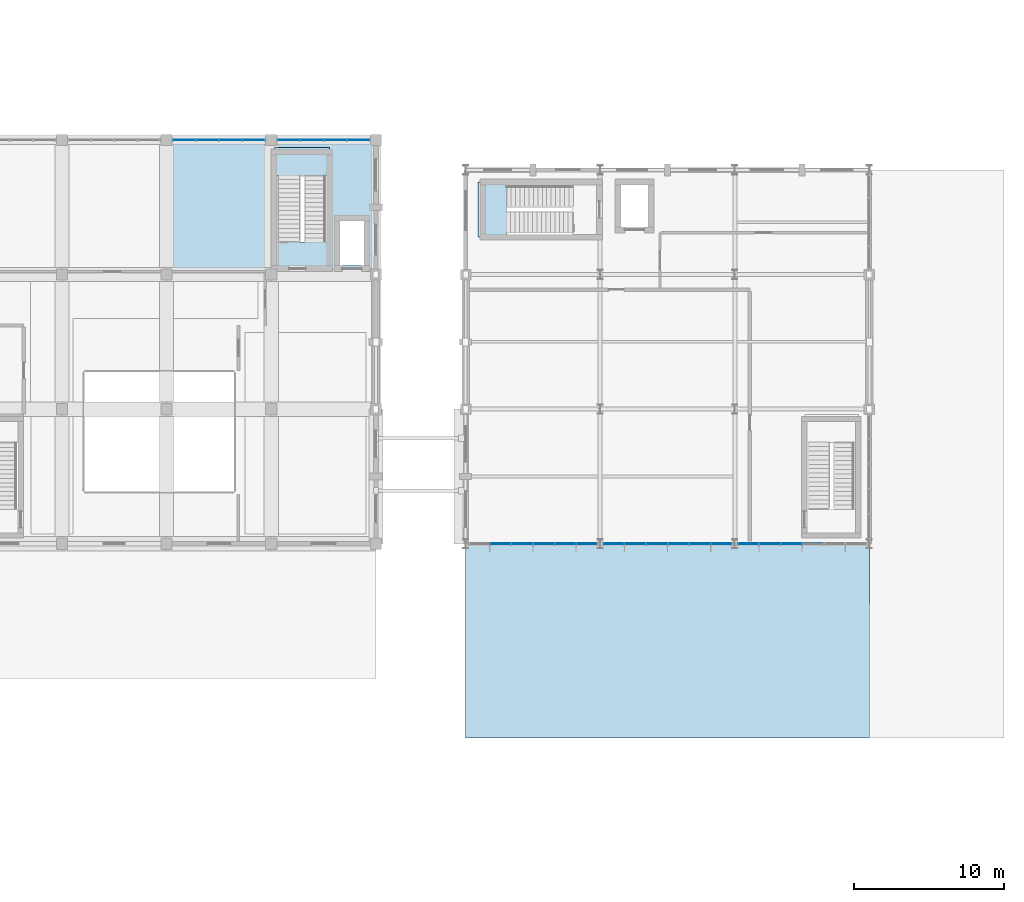
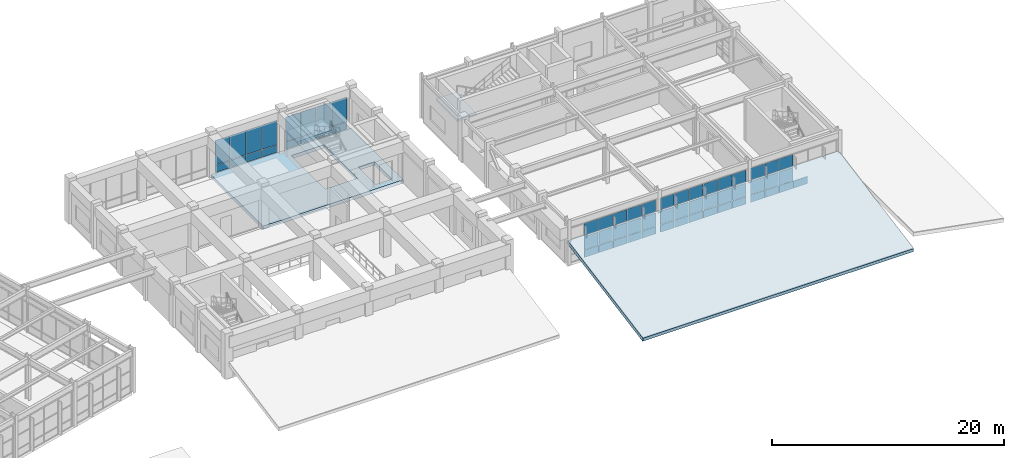
# One storey, part 77 of 104: 59 plates, 4 slabs, 7 elements without a shape of their own.
"""IFC4 building model written with IfcOpenShell, lengths in metres."""

import ifcopenshell
import ifcopenshell.guid

model = None  # the IFC model being written
_history = None  # IfcOwnerHistory: only IFC2X3 demands one
_inside = {}  # id of a spatial element -> (the spatial element, [elements in it])
_under = {}  # id of a project, library or spatial element -> (it, [spatial elements below it])
_declared = {}  # id of a project -> (the project, [libraries it declares])
_typed = {}  # id of a type object -> (the type object, [elements of that type])
_made_of = {}  # id of a material, layer set ... -> (it, [elements and type objects made of it])


def new_model(schema):
    """Start an empty IFC model of exactly this schema.

    Asked for "IFC4X3", IfcOpenShell would pick the latest addendum, in which some entities
    have other attributes; the version numbers below select the first issue.
    IFC2X3 requires an IfcOwnerHistory on every rooted entity: one is made here for all.
    """
    global model, _history
    if schema == "IFC4X3":
        model = ifcopenshell.file(schema_version=(4, 3, 0, 0))
    else:
        model = ifcopenshell.file(schema=schema)
    _inside.clear()
    _under.clear()
    _declared.clear()
    _typed.clear()
    _made_of.clear()
    _history = None
    if model.schema == "IFC2X3":
        org = make("IfcOrganization", Name="unknown")
        user = make(
            "IfcPersonAndOrganization",
            ThePerson=make("IfcPerson", FamilyName="unknown"),
            TheOrganization=org,
        )
        app = make(
            "IfcApplication",
            ApplicationDeveloper=org,
            Version="unknown",
            ApplicationFullName="unknown",
            ApplicationIdentifier="unknown",
        )
        _history = make(
            "IfcOwnerHistory",
            OwningUser=user,
            OwningApplication=app,
            ChangeAction="ADDED",
            CreationDate=0,
        )
    return model


def make(cls, **values):
    """One entity of the class cls with the attributes given. An attribute that is None is left unset."""
    return model.create_entity(
        cls, **{name: value for name, value in values.items() if value is not None}
    )


def rooted(cls, **values):
    """An entity with a GlobalId (a new one), such as an element, a storey or a relation."""
    return make(cls, GlobalId=ifcopenshell.guid.new(), OwnerHistory=_history, **values)


def si_unit(unit_type, name, prefix=None):
    """IfcSIUnit, for example si_unit("LENGTHUNIT", "METRE", prefix="MILLI")."""
    return make("IfcSIUnit", UnitType=unit_type, Prefix=prefix, Name=name)


def assignment(units):
    """IfcUnitAssignment: the units of a project."""
    return None if units is None else make("IfcUnitAssignment", Units=units)


def point(xyz):
    """IfcCartesianPoint."""
    return None if xyz is None else make("IfcCartesianPoint", Coordinates=xyz)


def direction(xyz):
    """IfcDirection."""
    return None if xyz is None else make("IfcDirection", DirectionRatios=xyz)


def frame(location, z_axis=None, x_axis=None):
    """IfcAxis2Placement3D, a coordinate frame: its origin and axes. An axis left out is left unset."""
    return make(
        "IfcAxis2Placement3D",
        Location=point(location),
        Axis=direction(z_axis),
        RefDirection=direction(x_axis),
    )


def frame_2d(location, x_axis=None):
    """IfcAxis2Placement2D, a coordinate frame in the plane: its origin and x axis."""
    return make(
        "IfcAxis2Placement2D", Location=point(location), RefDirection=direction(x_axis)
    )


def origin():
    """The frame at (0, 0, 0) with its axes left unset."""
    return frame((0.0, 0.0, 0.0))


def origin_2d():
    """The frame at (0, 0) in the plane with its x axis left unset."""
    return frame_2d((0.0, 0.0))


def place(relative_to, where):
    """IfcLocalPlacement: puts the frame where relative to a parent placement (None: the world)."""
    return make(
        "IfcLocalPlacement", PlacementRelTo=relative_to, RelativePlacement=where
    )


def context(
    kind, dimensions, precision=None, world=None, true_north=None, identifier=None
):
    """IfcGeometricRepresentationContext, for example the 3D "Model" context."""
    return make(
        "IfcGeometricRepresentationContext",
        ContextIdentifier=identifier,
        ContextType=kind,
        CoordinateSpaceDimension=dimensions,
        Precision=precision,
        WorldCoordinateSystem=world,
        TrueNorth=true_north,
    )


def subcontext(parent, identifier, kind, view, scale=None):
    """IfcGeometricRepresentationSubContext, for example "Body" below "Model"."""
    return make(
        "IfcGeometricRepresentationSubContext",
        ContextIdentifier=identifier,
        ContextType=kind,
        ParentContext=parent,
        TargetScale=scale,
        TargetView=view,
    )


def project(units=None, contexts=None):
    """IfcProject with its units and contexts."""
    return rooted(
        "IfcProject",
        Name="project",
        RepresentationContexts=contexts,
        UnitsInContext=assignment(units),
    )


def spatial(cls, under=None, at=None, **own):
    """A site, building, storey or space (cls), placed at a placement, below another one or the project."""
    s = rooted(cls, ObjectPlacement=at, **own)
    if under is not None:
        _under.setdefault(under.id(), (under, []))[1].append(s)
    return s


def polyline(points):
    """IfcPolyline through the points."""
    return make("IfcPolyline", Points=[point(p) for p in points])


def profile(cls, at=None, kind="AREA", **sizes):
    """A parametric profile (cls). Its sizes go by their IFC names, for example OverallWidth=200.0."""
    return make(cls, ProfileType=kind, Position=at, **sizes)


def rectangle(**sizes):
    """IfcRectangleProfileDef."""
    return profile("IfcRectangleProfileDef", **sizes)


def outline(outer, holes=None, kind="AREA"):
    """IfcArbitraryClosedProfileDef: a profile drawn as a closed curve; with holes, ...WithVoids."""
    if holes is None:
        return make("IfcArbitraryClosedProfileDef", ProfileType=kind, OuterCurve=outer)
    return make(
        "IfcArbitraryProfileDefWithVoids",
        ProfileType=kind,
        OuterCurve=outer,
        InnerCurves=holes,
    )


def extrude(swept, where, along, depth):
    """IfcExtrudedAreaSolid: the profile swept, set in the frame where, extruded along a direction by depth."""
    return make(
        "IfcExtrudedAreaSolid",
        SweptArea=swept,
        Position=where,
        ExtrudedDirection=direction(along),
        Depth=depth,
    )


def shape(context_of_items, identifier, shape_type, items):
    """IfcShapeRepresentation: the items that make up one representation, for example the "Body"."""
    return make(
        "IfcShapeRepresentation",
        ContextOfItems=context_of_items,
        RepresentationIdentifier=identifier,
        RepresentationType=shape_type,
        Items=items,
    )


def material(Name=None, Category=None):
    """IfcMaterial."""
    return make("IfcMaterial", Name=Name, Category=Category)


def layer(
    of_material, thickness, ventilated=None, Name=None, Category=None, Priority=None
):
    """IfcMaterialLayer: one layer of a wall or slab, of a material (None: an air gap)."""
    return make(
        "IfcMaterialLayer",
        Material=of_material,
        LayerThickness=thickness,
        IsVentilated=ventilated,
        Name=Name,
        Category=Category,
        Priority=Priority,
    )


def layer_set(layers, Name=None):
    """IfcMaterialLayerSet."""
    return make("IfcMaterialLayerSet", MaterialLayers=layers, LayerSetName=Name)


def made_of(thing, what):
    """Note that an element or type object is made of a material, layer set ...; save() writes the relation."""
    if what is not None:
        _made_of.setdefault(what.id(), (what, []))[1].append(thing)
    return thing


def type_object(cls, material=None, **own):
    """A type object (cls), such as IfcWallType, which elements share."""
    return made_of(rooted(cls, **own), material)


def element(
    cls,
    number,
    at=None,
    inside=None,
    cuts=None,
    type_object=None,
    material=None,
    context=None,
    identifier="Body",
    shape_type=None,
    held_by="IfcProductDefinitionShape",
    body=None,
    shapes=None,
    **own,
):
    """One element of the class cls, such as IfcWall. Its Tag is "e" and its number.

    at: its placement. inside: the storey or other place that contains it. cuts: it is an
    opening in that element (IfcRelVoidsElement). A single representation is given by context,
    identifier, shape_type and body (its items); several are given by shapes. held_by: the class
    of the entity that holds the representations. save() writes the other relations.
    """
    e = rooted(cls, Tag="e%d" % number, ObjectPlacement=at, **own)
    if body is not None:
        shapes = [shape(context, identifier, shape_type, body)]
    if shapes is not None:
        e.Representation = make(held_by, Representations=shapes)
    if inside is not None:
        _inside.setdefault(inside.id(), (inside, []))[1].append(e)
    if cuts is not None:
        rooted(
            "IfcRelVoidsElement", RelatingBuildingElement=cuts, RelatedOpeningElement=e
        )
    if type_object is not None:
        _typed.setdefault(type_object.id(), (type_object, []))[1].append(e)
    return made_of(e, material)


def aggregate(whole, parts):
    """IfcRelAggregates: a whole, such as a stair, and the parts it consists of."""
    return rooted("IfcRelAggregates", RelatingObject=whole, RelatedObjects=parts)


def save(model, path):
    """Write the relations noted so far, then the file.

    IfcRelAggregates (storeys below a building ...), IfcRelContainedInSpatialStructure (elements
    in a storey), IfcRelDefinesByType, IfcRelAssociatesMaterial and IfcRelDeclares: one each for
    every whole, place, type object, material and project.
    """
    for whole, parts in _under.values():
        aggregate(whole, parts)
    for where, things in _inside.values():
        rooted(
            "IfcRelContainedInSpatialStructure",
            RelatedElements=things,
            RelatingStructure=where,
        )
    for kind, things in _typed.values():
        rooted("IfcRelDefinesByType", RelatedObjects=things, RelatingType=kind)
    for what, things in _made_of.values():
        rooted("IfcRelAssociatesMaterial", RelatedObjects=things, RelatingMaterial=what)
    for by, libraries in _declared.values():
        rooted("IfcRelDeclares", RelatingContext=by, RelatedDefinitions=libraries)
    model.write(path)


model = new_model("IFC4")

# Units and contexts
model_context = context("Model", 3, precision=1e-05, world=origin(), true_north=direction((0.0, 1.0)))
body_context = subcontext(model_context, "Body", "Model", "MODEL_VIEW")
ifc_project = project(units=[si_unit("LENGTHUNIT", "METRE"), si_unit("AREAUNIT", "SQUARE_METRE"), si_unit("VOLUMEUNIT", "CUBIC_METRE"), si_unit("PLANEANGLEUNIT", "RADIAN"), si_unit("MASSUNIT", "GRAM", prefix="KILO")], contexts=[model_context])

# Site, building, storey
site_placement = place(None, origin())
site = spatial("IfcSite", under=ifc_project, at=site_placement, CompositionType="ELEMENT")
building_placement = place(site_placement, origin())
building = spatial("IfcBuilding", under=site, at=building_placement, Name="Ventoquebrada Cableway Terminal", CompositionType="ELEMENT")
storey_placement = place(building_placement, frame((0.0, 0.0, 4.800048828125)))
storey = spatial("IfcBuildingStorey", under=building, at=storey_placement, Name="L01", CompositionType="ELEMENT", Elevation=4.800048828125)

# Curtain wall, plates
ifc_material_1 = material(Name="Anodized thermally-broken aluminium", Category="aluminium")
ifc_layer_1 = layer(ifc_material_1, 0.159912109375)
ifc_layer_set_1 = layer_set([ifc_layer_1], Name="Anodized thermally-broken aluminium")
curtain_wall_type_1 = type_object("IfcCurtainWallType", Name="CW-T27", PredefinedType="USERDEFINED", material=ifc_layer_set_1)
curtain_wall_1_placement = place(storey_placement, origin())
curtain_wall_1 = element("IfcCurtainWall", 1, at=curtain_wall_1_placement, inside=storey, type_object=curtain_wall_type_1, Name="Unitised glazed curtain wall CW-065", ObjectType="UNITISED CURTAIN WALL", PredefinedType="USERDEFINED")
ifc_material_2 = material(Name="Double low-e laminated safety glazing", Category="glass")
ifc_layer_2 = layer(ifc_material_2, 0.031982421875)
ifc_layer_set_2 = layer_set([ifc_layer_2], Name="Double low-e laminated safety glazing")
plate_type_1 = type_object("IfcPlateType", Name="CWP-GL1", PredefinedType="CURTAIN_PANEL", material=ifc_layer_set_2)
plate_1_placement = place(storey_placement, frame((113.280029296875, 104.0, 0.87451171875), z_axis=(0.0, 0.0, 1.0), x_axis=(-1.0, 0.0, 0.0)))
plate_1 = element("IfcPlate", 2, at=plate_1_placement, type_object=plate_type_1, Name="Vision glazing panel PN-0652", PredefinedType="CURTAIN_PANEL", context=body_context, shape_type="SweptSolid", body=[
    extrude(rectangle(XDim=1.510986328125, YDim=0.031982421875, at=origin_2d()), origin(), (0.0, 0.0, 1.0), 2.56103515625),
])
plate_2_placement = place(storey_placement, frame((110.177001953125, 104.0, 0.87451171875), z_axis=(0.0, 0.0, 1.0), x_axis=(-1.0, 0.0, 0.0)))
plate_2 = element("IfcPlate", 3, at=plate_2_placement, type_object=plate_type_1, Name="Vision glazing panel PN-0656", PredefinedType="CURTAIN_PANEL", context=body_context, shape_type="SweptSolid", body=[
    extrude(rectangle(XDim=1.47607421875, YDim=0.031982421875, at=origin_2d()), origin(), (0.0, 0.0, 1.0), 2.56103515625),
])

curtain_wall_2_placement = place(storey_placement, origin())
curtain_wall_2 = element("IfcCurtainWall", 4, at=curtain_wall_2_placement, inside=storey, type_object=curtain_wall_type_1, Name="Unitised glazed curtain wall CW-066", ObjectType="UNITISED CURTAIN WALL", PredefinedType="USERDEFINED")
plate_3_placement = place(storey_placement, frame((120.280029296875, 104.0, 0.87451171875), z_axis=(0.0, 0.0, 1.0), x_axis=(-1.0, 0.0, 0.0)))
plate_3 = element("IfcPlate", 5, at=plate_3_placement, type_object=plate_type_1, Name="Vision glazing panel PN-0660", PredefinedType="CURTAIN_PANEL", context=body_context, shape_type="SweptSolid", body=[
    extrude(rectangle(XDim=1.510986328125, YDim=0.031982421875, at=origin_2d()), origin(), (0.0, 0.0, 1.0), 2.56103515625),
])
plate_4_placement = place(storey_placement, frame((117.177001953125, 104.0, 0.87451171875), z_axis=(0.0, 0.0, 1.0), x_axis=(-1.0, 0.0, 0.0)))
plate_4 = element("IfcPlate", 6, at=plate_4_placement, type_object=plate_type_1, Name="Vision glazing panel PN-0664", PredefinedType="CURTAIN_PANEL", context=body_context, shape_type="SweptSolid", body=[
    extrude(rectangle(XDim=1.47607421875, YDim=0.031982421875, at=origin_2d()), origin(), (0.0, 0.0, 1.0), 2.56103515625),
])

ifc_layer_3 = layer(ifc_material_1, 0.159912109375)
ifc_layer_set_3 = layer_set([ifc_layer_3], Name="Anodized thermally-broken aluminium")
curtain_wall_type_2 = type_object("IfcCurtainWallType", Name="CW-T30", PredefinedType="USERDEFINED", material=ifc_layer_set_3)
curtain_wall_3_placement = place(storey_placement, origin())
curtain_wall_3 = element("IfcCurtainWall", 7, at=curtain_wall_3_placement, inside=storey, type_object=curtain_wall_type_2, Name="Unitised glazed curtain wall CW-073", ObjectType="UNITISED CURTAIN WALL", PredefinedType="USERDEFINED")
plate_5_placement = place(storey_placement, frame((131.333984375, 77.0, 0.875), z_axis=(0.0, 0.0, 1.0), x_axis=(1.0, 0.0, 0.0)))
plate_5 = element("IfcPlate", 8, at=plate_5_placement, type_object=plate_type_1, Name="Vision glazing panel PN-0713", PredefinedType="CURTAIN_PANEL", context=body_context, shape_type="SweptSolid", body=[
    extrude(rectangle(XDim=1.39501953125, YDim=0.031982421875, at=origin_2d()), origin(), (0.0, 0.0, 1.0), 1.39990234375),
])
plate_6_placement = place(storey_placement, frame((132.778076171875, 77.0, 2.3232421875), z_axis=(0.0, 0.0, 1.0), x_axis=(1.0, 0.0, 0.0)))
plate_6 = element("IfcPlate", 9, at=plate_6_placement, type_object=plate_type_1, Name="Vision glazing panel PN-0717", PredefinedType="CURTAIN_PANEL", context=body_context, shape_type="SweptSolid", body=[
    extrude(rectangle(XDim=1.39501953125, YDim=0.031982421875, at=origin_2d()), origin(), (0.0, 0.0, 1.0), 1.324951171875),
])
plate_7_placement = place(storey_placement, frame((134.221923828125, 77.0, 0.875), z_axis=(0.0, 0.0, 1.0), x_axis=(1.0, 0.0, 0.0)))
plate_7 = element("IfcPlate", 10, at=plate_7_placement, type_object=plate_type_1, Name="Vision glazing panel PN-0719", PredefinedType="CURTAIN_PANEL", context=body_context, shape_type="SweptSolid", body=[
    extrude(rectangle(XDim=1.39501953125, YDim=0.031982421875, at=origin_2d()), origin(), (0.0, 0.0, 1.0), 1.39990234375),
])
plate_8_placement = place(storey_placement, frame((135.666015625, 77.0, 2.3232421875), z_axis=(0.0, 0.0, 1.0), x_axis=(1.0, 0.0, 0.0)))
plate_8 = element("IfcPlate", 11, at=plate_8_placement, type_object=plate_type_1, Name="Vision glazing panel PN-0723", PredefinedType="CURTAIN_PANEL", context=body_context, shape_type="SweptSolid", body=[
    extrude(rectangle(XDim=1.39501953125, YDim=0.031982421875, at=origin_2d()), origin(), (0.0, 0.0, 1.0), 1.324951171875),
])
plate_9_placement = place(storey_placement, frame((137.091064453125, 77.0, 0.875), z_axis=(0.0, 0.0, 1.0), x_axis=(1.0, 0.0, 0.0)))
plate_9 = element("IfcPlate", 12, at=plate_9_placement, type_object=plate_type_1, Name="Vision glazing panel PN-0725", PredefinedType="CURTAIN_PANEL", context=body_context, shape_type="SweptSolid", body=[
    extrude(rectangle(XDim=1.360107421875, YDim=0.031982421875, at=origin_2d()), origin(), (0.0, 0.0, 1.0), 1.39990234375),
])

curtain_wall_4_placement = place(storey_placement, origin())
curtain_wall_4 = element("IfcCurtainWall", 13, at=curtain_wall_4_placement, inside=storey, type_object=curtain_wall_type_2, Name="Unitised glazed curtain wall CW-074", ObjectType="UNITISED CURTAIN WALL", PredefinedType="USERDEFINED")
plate_10_placement = place(storey_placement, frame((138.908935546875, 77.0, 2.3232421875), z_axis=(0.0, 0.0, 1.0), x_axis=(1.0, 0.0, 0.0)))
plate_10 = element("IfcPlate", 14, at=plate_10_placement, type_object=plate_type_1, Name="Vision glazing panel PN-0729", PredefinedType="CURTAIN_PANEL", context=body_context, shape_type="SweptSolid", body=[
    extrude(rectangle(XDim=1.360107421875, YDim=0.031982421875, at=origin_2d()), origin(), (0.0, 0.0, 1.0), 1.324951171875),
])
plate_11_placement = place(storey_placement, frame((140.333984375, 77.0, 0.875), z_axis=(0.0, 0.0, 1.0), x_axis=(1.0, 0.0, 0.0)))
plate_11 = element("IfcPlate", 15, at=plate_11_placement, type_object=plate_type_1, Name="Vision glazing panel PN-0731", PredefinedType="CURTAIN_PANEL", context=body_context, shape_type="SweptSolid", body=[
    extrude(rectangle(XDim=1.39501953125, YDim=0.031982421875, at=origin_2d()), origin(), (0.0, 0.0, 1.0), 1.39990234375),
])
plate_12_placement = place(storey_placement, frame((141.778076171875, 77.0, 2.3232421875), z_axis=(0.0, 0.0, 1.0), x_axis=(1.0, 0.0, 0.0)))
plate_12 = element("IfcPlate", 16, at=plate_12_placement, type_object=plate_type_1, Name="Vision glazing panel PN-0735", PredefinedType="CURTAIN_PANEL", context=body_context, shape_type="SweptSolid", body=[
    extrude(rectangle(XDim=1.39501953125, YDim=0.031982421875, at=origin_2d()), origin(), (0.0, 0.0, 1.0), 1.324951171875),
])
plate_13_placement = place(storey_placement, frame((143.221923828125, 77.0, 0.875), z_axis=(0.0, 0.0, 1.0), x_axis=(1.0, 0.0, 0.0)))
plate_13 = element("IfcPlate", 17, at=plate_13_placement, type_object=plate_type_1, Name="Vision glazing panel PN-0737", PredefinedType="CURTAIN_PANEL", context=body_context, shape_type="SweptSolid", body=[
    extrude(rectangle(XDim=1.39501953125, YDim=0.031982421875, at=origin_2d()), origin(), (0.0, 0.0, 1.0), 1.39990234375),
])
plate_14_placement = place(storey_placement, frame((144.666015625, 77.0, 2.3232421875), z_axis=(0.0, 0.0, 1.0), x_axis=(1.0, 0.0, 0.0)))
plate_14 = element("IfcPlate", 18, at=plate_14_placement, type_object=plate_type_1, Name="Vision glazing panel PN-0741", PredefinedType="CURTAIN_PANEL", context=body_context, shape_type="SweptSolid", body=[
    extrude(rectangle(XDim=1.39501953125, YDim=0.031982421875, at=origin_2d()), origin(), (0.0, 0.0, 1.0), 1.324951171875),
])
plate_15_placement = place(storey_placement, frame((146.091064453125, 77.0, 0.875), z_axis=(0.0, 0.0, 1.0), x_axis=(1.0, 0.0, 0.0)))
plate_15 = element("IfcPlate", 19, at=plate_15_placement, type_object=plate_type_1, Name="Vision glazing panel PN-0743", PredefinedType="CURTAIN_PANEL", context=body_context, shape_type="SweptSolid", body=[
    extrude(rectangle(XDim=1.360107421875, YDim=0.031982421875, at=origin_2d()), origin(), (0.0, 0.0, 1.0), 1.39990234375),
])

curtain_wall_5_placement = place(storey_placement, origin())
curtain_wall_5 = element("IfcCurtainWall", 20, at=curtain_wall_5_placement, inside=storey, type_object=curtain_wall_type_2, Name="Unitised glazed curtain wall CW-075", ObjectType="UNITISED CURTAIN WALL", PredefinedType="USERDEFINED")
plate_16_placement = place(storey_placement, frame((147.908935546875, 77.0, 2.3232421875), z_axis=(0.0, 0.0, 1.0), x_axis=(1.0, 0.0, 0.0)))
plate_16 = element("IfcPlate", 21, at=plate_16_placement, type_object=plate_type_1, Name="Vision glazing panel PN-0747", PredefinedType="CURTAIN_PANEL", context=body_context, shape_type="SweptSolid", body=[
    extrude(rectangle(XDim=1.360107421875, YDim=0.031982421875, at=origin_2d()), origin(), (0.0, 0.0, 1.0), 1.324951171875),
])
plate_17_placement = place(storey_placement, frame((149.333984375, 77.0, 0.875), z_axis=(0.0, 0.0, 1.0), x_axis=(1.0, 0.0, 0.0)))
plate_17 = element("IfcPlate", 22, at=plate_17_placement, type_object=plate_type_1, Name="Vision glazing panel PN-0749", PredefinedType="CURTAIN_PANEL", context=body_context, shape_type="SweptSolid", body=[
    extrude(rectangle(XDim=1.39501953125, YDim=0.031982421875, at=origin_2d()), origin(), (0.0, 0.0, 1.0), 1.39990234375),
])
plate_18_placement = place(storey_placement, frame((150.778076171875, 77.0, 2.3232421875), z_axis=(0.0, 0.0, 1.0), x_axis=(1.0, 0.0, 0.0)))
plate_18 = element("IfcPlate", 23, at=plate_18_placement, type_object=plate_type_1, Name="Vision glazing panel PN-0753", PredefinedType="CURTAIN_PANEL", context=body_context, shape_type="SweptSolid", body=[
    extrude(rectangle(XDim=1.39501953125, YDim=0.031982421875, at=origin_2d()), origin(), (0.0, 0.0, 1.0), 1.324951171875),
])

# Plate
ifc_layer_4 = layer(ifc_material_2, 0.0380859375)
ifc_layer_set_4 = layer_set([ifc_layer_4], Name="Double low-e laminated safety glazing")
plate_type_2 = type_object("IfcPlateType", Name="CWP-GL2", PredefinedType="CURTAIN_PANEL", material=ifc_layer_set_4)
plate_19_placement = place(storey_placement, frame((114.822998046875, 104.0, 0.87451171875), z_axis=(0.0, 0.0, 1.0), x_axis=(-1.0, 0.0, 0.0)))
plate_19 = element("IfcPlate", 24, at=plate_19_placement, type_object=plate_type_2, Name="Vision glazing panel PN-0650", PredefinedType="CURTAIN_PANEL", context=body_context, shape_type="SweptSolid", body=[
    extrude(rectangle(XDim=1.47607421875, YDim=0.0380859375, at=origin_2d()), origin(), (0.0, 0.0, 1.0), 2.56103515625),
])

plate_20_placement = place(storey_placement, frame((111.719970703125, 104.0, 0.87451171875), z_axis=(0.0, 0.0, 1.0), x_axis=(-1.0, 0.0, 0.0)))
plate_20 = element("IfcPlate", 25, at=plate_20_placement, type_object=plate_type_2, Name="Vision glazing panel PN-0654", PredefinedType="CURTAIN_PANEL", context=body_context, shape_type="SweptSolid", body=[
    extrude(rectangle(XDim=1.510986328125, YDim=0.0380859375, at=origin_2d()), origin(), (0.0, 0.0, 1.0), 2.56103515625),
])

plate_21_placement = place(storey_placement, frame((121.822998046875, 104.0, 0.87451171875), z_axis=(0.0, 0.0, 1.0), x_axis=(-1.0, 0.0, 0.0)))
plate_21 = element("IfcPlate", 26, at=plate_21_placement, type_object=plate_type_2, Name="Vision glazing panel PN-0658", PredefinedType="CURTAIN_PANEL", context=body_context, shape_type="SweptSolid", body=[
    extrude(rectangle(XDim=1.47607421875, YDim=0.0380859375, at=origin_2d()), origin(), (0.0, 0.0, 1.0), 2.56103515625),
])

plate_22_placement = place(storey_placement, frame((118.719970703125, 104.0, 0.87451171875), z_axis=(0.0, 0.0, 1.0), x_axis=(-1.0, 0.0, 0.0)))
plate_22 = element("IfcPlate", 27, at=plate_22_placement, type_object=plate_type_2, Name="Vision glazing panel PN-0662", PredefinedType="CURTAIN_PANEL", context=body_context, shape_type="SweptSolid", body=[
    extrude(rectangle(XDim=1.510986328125, YDim=0.0380859375, at=origin_2d()), origin(), (0.0, 0.0, 1.0), 2.56103515625),
])

plate_23_placement = place(storey_placement, frame((131.333984375, 77.0, 2.3232421875), z_axis=(0.0, 0.0, 1.0), x_axis=(1.0, 0.0, 0.0)))
plate_23 = element("IfcPlate", 28, at=plate_23_placement, type_object=plate_type_2, Name="Vision glazing panel PN-0714", PredefinedType="CURTAIN_PANEL", context=body_context, shape_type="SweptSolid", body=[
    extrude(rectangle(XDim=1.39501953125, YDim=0.0380859375, at=origin_2d()), origin(), (0.0, 0.0, 1.0), 1.324951171875),
])

plate_24_placement = place(storey_placement, frame((132.778076171875, 77.0, 0.875), z_axis=(0.0, 0.0, 1.0), x_axis=(1.0, 0.0, 0.0)))
plate_24 = element("IfcPlate", 29, at=plate_24_placement, type_object=plate_type_2, Name="Vision glazing panel PN-0716", PredefinedType="CURTAIN_PANEL", context=body_context, shape_type="SweptSolid", body=[
    extrude(rectangle(XDim=1.39501953125, YDim=0.0380859375, at=origin_2d()), origin(), (0.0, 0.0, 1.0), 1.39990234375),
])

plate_25_placement = place(storey_placement, frame((134.221923828125, 77.0, 2.3232421875), z_axis=(0.0, 0.0, 1.0), x_axis=(1.0, 0.0, 0.0)))
plate_25 = element("IfcPlate", 30, at=plate_25_placement, type_object=plate_type_2, Name="Vision glazing panel PN-0720", PredefinedType="CURTAIN_PANEL", context=body_context, shape_type="SweptSolid", body=[
    extrude(rectangle(XDim=1.39501953125, YDim=0.0380859375, at=origin_2d()), origin(), (0.0, 0.0, 1.0), 1.324951171875),
])

plate_26_placement = place(storey_placement, frame((135.666015625, 77.0, 0.875), z_axis=(0.0, 0.0, 1.0), x_axis=(1.0, 0.0, 0.0)))
plate_26 = element("IfcPlate", 31, at=plate_26_placement, type_object=plate_type_2, Name="Vision glazing panel PN-0722", PredefinedType="CURTAIN_PANEL", context=body_context, shape_type="SweptSolid", body=[
    extrude(rectangle(XDim=1.39501953125, YDim=0.0380859375, at=origin_2d()), origin(), (0.0, 0.0, 1.0), 1.39990234375),
])

plate_27_placement = place(storey_placement, frame((137.091064453125, 77.0, 2.3232421875), z_axis=(0.0, 0.0, 1.0), x_axis=(1.0, 0.0, 0.0)))
plate_27 = element("IfcPlate", 32, at=plate_27_placement, type_object=plate_type_2, Name="Vision glazing panel PN-0726", PredefinedType="CURTAIN_PANEL", context=body_context, shape_type="SweptSolid", body=[
    extrude(rectangle(XDim=1.360107421875, YDim=0.0380859375, at=origin_2d()), origin(), (0.0, 0.0, 1.0), 1.324951171875),
])

plate_28_placement = place(storey_placement, frame((138.908935546875, 77.0, 0.875), z_axis=(0.0, 0.0, 1.0), x_axis=(1.0, 0.0, 0.0)))
plate_28 = element("IfcPlate", 33, at=plate_28_placement, type_object=plate_type_2, Name="Vision glazing panel PN-0728", PredefinedType="CURTAIN_PANEL", context=body_context, shape_type="SweptSolid", body=[
    extrude(rectangle(XDim=1.360107421875, YDim=0.0380859375, at=origin_2d()), origin(), (0.0, 0.0, 1.0), 1.39990234375),
])

plate_29_placement = place(storey_placement, frame((140.333984375, 77.0, 2.3232421875), z_axis=(0.0, 0.0, 1.0), x_axis=(1.0, 0.0, 0.0)))
plate_29 = element("IfcPlate", 34, at=plate_29_placement, type_object=plate_type_2, Name="Vision glazing panel PN-0732", PredefinedType="CURTAIN_PANEL", context=body_context, shape_type="SweptSolid", body=[
    extrude(rectangle(XDim=1.39501953125, YDim=0.0380859375, at=origin_2d()), origin(), (0.0, 0.0, 1.0), 1.324951171875),
])

plate_30_placement = place(storey_placement, frame((141.778076171875, 77.0, 0.875), z_axis=(0.0, 0.0, 1.0), x_axis=(1.0, 0.0, 0.0)))
plate_30 = element("IfcPlate", 35, at=plate_30_placement, type_object=plate_type_2, Name="Vision glazing panel PN-0734", PredefinedType="CURTAIN_PANEL", context=body_context, shape_type="SweptSolid", body=[
    extrude(rectangle(XDim=1.39501953125, YDim=0.0380859375, at=origin_2d()), origin(), (0.0, 0.0, 1.0), 1.39990234375),
])

plate_31_placement = place(storey_placement, frame((143.221923828125, 77.0, 2.3232421875), z_axis=(0.0, 0.0, 1.0), x_axis=(1.0, 0.0, 0.0)))
plate_31 = element("IfcPlate", 36, at=plate_31_placement, type_object=plate_type_2, Name="Vision glazing panel PN-0738", PredefinedType="CURTAIN_PANEL", context=body_context, shape_type="SweptSolid", body=[
    extrude(rectangle(XDim=1.39501953125, YDim=0.0380859375, at=origin_2d()), origin(), (0.0, 0.0, 1.0), 1.324951171875),
])

plate_32_placement = place(storey_placement, frame((144.666015625, 77.0, 0.875), z_axis=(0.0, 0.0, 1.0), x_axis=(1.0, 0.0, 0.0)))
plate_32 = element("IfcPlate", 37, at=plate_32_placement, type_object=plate_type_2, Name="Vision glazing panel PN-0740", PredefinedType="CURTAIN_PANEL", context=body_context, shape_type="SweptSolid", body=[
    extrude(rectangle(XDim=1.39501953125, YDim=0.0380859375, at=origin_2d()), origin(), (0.0, 0.0, 1.0), 1.39990234375),
])

plate_33_placement = place(storey_placement, frame((146.091064453125, 77.0, 2.3232421875), z_axis=(0.0, 0.0, 1.0), x_axis=(1.0, 0.0, 0.0)))
plate_33 = element("IfcPlate", 38, at=plate_33_placement, type_object=plate_type_2, Name="Vision glazing panel PN-0744", PredefinedType="CURTAIN_PANEL", context=body_context, shape_type="SweptSolid", body=[
    extrude(rectangle(XDim=1.360107421875, YDim=0.0380859375, at=origin_2d()), origin(), (0.0, 0.0, 1.0), 1.324951171875),
])

plate_34_placement = place(storey_placement, frame((147.908935546875, 77.0, 0.875), z_axis=(0.0, 0.0, 1.0), x_axis=(1.0, 0.0, 0.0)))
plate_34 = element("IfcPlate", 39, at=plate_34_placement, type_object=plate_type_2, Name="Vision glazing panel PN-0746", PredefinedType="CURTAIN_PANEL", context=body_context, shape_type="SweptSolid", body=[
    extrude(rectangle(XDim=1.360107421875, YDim=0.0380859375, at=origin_2d()), origin(), (0.0, 0.0, 1.0), 1.39990234375),
])

plate_35_placement = place(storey_placement, frame((149.333984375, 77.0, 2.3232421875), z_axis=(0.0, 0.0, 1.0), x_axis=(1.0, 0.0, 0.0)))
plate_35 = element("IfcPlate", 40, at=plate_35_placement, type_object=plate_type_2, Name="Vision glazing panel PN-0750", PredefinedType="CURTAIN_PANEL", context=body_context, shape_type="SweptSolid", body=[
    extrude(rectangle(XDim=1.39501953125, YDim=0.0380859375, at=origin_2d()), origin(), (0.0, 0.0, 1.0), 1.324951171875),
])

plate_36_placement = place(storey_placement, frame((150.778076171875, 77.0, 0.875), z_axis=(0.0, 0.0, 1.0), x_axis=(1.0, 0.0, 0.0)))
plate_36 = element("IfcPlate", 41, at=plate_36_placement, type_object=plate_type_2, Name="Vision glazing panel PN-0752", PredefinedType="CURTAIN_PANEL", context=body_context, shape_type="SweptSolid", body=[
    extrude(rectangle(XDim=1.39501953125, YDim=0.0380859375, at=origin_2d()), origin(), (0.0, 0.0, 1.0), 1.39990234375),
])

ifc_material_3 = material(Name="Insulated aluminium spandrel cassette", Category="aluminium")
ifc_layer_5 = layer(ifc_material_3, 0.044921875)
ifc_layer_set_5 = layer_set([ifc_layer_5], Name="Insulated aluminium spandrel cassette")
plate_type_3 = type_object("IfcPlateType", Name="CWP-SP1", PredefinedType="CURTAIN_PANEL", material=ifc_layer_set_5)
plate_37_placement = place(storey_placement, frame((114.822998046875, 104.0, 0.058837890625), z_axis=(0.0, 0.0, 1.0), x_axis=(-1.0, 0.0, 0.0)))
plate_37 = element("IfcPlate", 42, at=plate_37_placement, type_object=plate_type_3, Name="Insulated spandrel panel PN-0649", PredefinedType="CURTAIN_PANEL", context=body_context, shape_type="SweptSolid", body=[
    extrude(rectangle(XDim=1.47607421875, YDim=0.044921875, at=origin_2d()), origin(), (0.0, 0.0, 1.0), 0.76611328125),
])

plate_38_placement = place(storey_placement, frame((113.280029296875, 104.0, 0.058837890625), z_axis=(0.0, 0.0, 1.0), x_axis=(-1.0, 0.0, 0.0)))
plate_38 = element("IfcPlate", 43, at=plate_38_placement, type_object=plate_type_3, Name="Insulated spandrel panel PN-0651", PredefinedType="CURTAIN_PANEL", context=body_context, shape_type="SweptSolid", body=[
    extrude(rectangle(XDim=1.510986328125, YDim=0.044921875, at=origin_2d()), origin(), (0.0, 0.0, 1.0), 0.76611328125),
])

plate_39_placement = place(storey_placement, frame((111.719970703125, 104.0, 0.058837890625), z_axis=(0.0, 0.0, 1.0), x_axis=(-1.0, 0.0, 0.0)))
plate_39 = element("IfcPlate", 44, at=plate_39_placement, type_object=plate_type_3, Name="Insulated spandrel panel PN-0653", PredefinedType="CURTAIN_PANEL", context=body_context, shape_type="SweptSolid", body=[
    extrude(rectangle(XDim=1.510986328125, YDim=0.044921875, at=origin_2d()), origin(), (0.0, 0.0, 1.0), 0.76611328125),
])

plate_40_placement = place(storey_placement, frame((110.177001953125, 104.0, 0.058837890625), z_axis=(0.0, 0.0, 1.0), x_axis=(-1.0, 0.0, 0.0)))
plate_40 = element("IfcPlate", 45, at=plate_40_placement, type_object=plate_type_3, Name="Insulated spandrel panel PN-0655", PredefinedType="CURTAIN_PANEL", context=body_context, shape_type="SweptSolid", body=[
    extrude(rectangle(XDim=1.47607421875, YDim=0.044921875, at=origin_2d()), origin(), (0.0, 0.0, 1.0), 0.76611328125),
])

aggregate(curtain_wall_1, [plate_37, plate_19, plate_38, plate_1, plate_39, plate_20, plate_40, plate_2])

plate_41_placement = place(storey_placement, frame((121.822998046875, 104.0, 0.058837890625), z_axis=(0.0, 0.0, 1.0), x_axis=(-1.0, 0.0, 0.0)))
plate_41 = element("IfcPlate", 46, at=plate_41_placement, type_object=plate_type_3, Name="Insulated spandrel panel PN-0657", PredefinedType="CURTAIN_PANEL", context=body_context, shape_type="SweptSolid", body=[
    extrude(rectangle(XDim=1.47607421875, YDim=0.044921875, at=origin_2d()), origin(), (0.0, 0.0, 1.0), 0.76611328125),
])

plate_42_placement = place(storey_placement, frame((120.280029296875, 104.0, 0.058837890625), z_axis=(0.0, 0.0, 1.0), x_axis=(-1.0, 0.0, 0.0)))
plate_42 = element("IfcPlate", 47, at=plate_42_placement, type_object=plate_type_3, Name="Insulated spandrel panel PN-0659", PredefinedType="CURTAIN_PANEL", context=body_context, shape_type="SweptSolid", body=[
    extrude(rectangle(XDim=1.510986328125, YDim=0.044921875, at=origin_2d()), origin(), (0.0, 0.0, 1.0), 0.76611328125),
])

plate_43_placement = place(storey_placement, frame((118.719970703125, 104.0, 0.058837890625), z_axis=(0.0, 0.0, 1.0), x_axis=(-1.0, 0.0, 0.0)))
plate_43 = element("IfcPlate", 48, at=plate_43_placement, type_object=plate_type_3, Name="Insulated spandrel panel PN-0661", PredefinedType="CURTAIN_PANEL", context=body_context, shape_type="SweptSolid", body=[
    extrude(rectangle(XDim=1.510986328125, YDim=0.044921875, at=origin_2d()), origin(), (0.0, 0.0, 1.0), 0.76611328125),
])

plate_44_placement = place(storey_placement, frame((117.177001953125, 104.0, 0.058837890625), z_axis=(0.0, 0.0, 1.0), x_axis=(-1.0, 0.0, 0.0)))
plate_44 = element("IfcPlate", 49, at=plate_44_placement, type_object=plate_type_3, Name="Insulated spandrel panel PN-0663", PredefinedType="CURTAIN_PANEL", context=body_context, shape_type="SweptSolid", body=[
    extrude(rectangle(XDim=1.47607421875, YDim=0.044921875, at=origin_2d()), origin(), (0.0, 0.0, 1.0), 0.76611328125),
])

aggregate(curtain_wall_2, [plate_41, plate_21, plate_42, plate_3, plate_43, plate_22, plate_44, plate_4])

plate_45_placement = place(storey_placement, frame((131.333984375, 77.0, 0.058837890625), z_axis=(0.0, 0.0, 1.0), x_axis=(1.0, 0.0, 0.0)))
plate_45 = element("IfcPlate", 50, at=plate_45_placement, type_object=plate_type_3, Name="Insulated spandrel panel PN-0712", PredefinedType="CURTAIN_PANEL", context=body_context, shape_type="SweptSolid", body=[
    extrude(rectangle(XDim=1.39501953125, YDim=0.044921875, at=origin_2d()), origin(), (0.0, 0.0, 1.0), 0.76611328125),
])

plate_46_placement = place(storey_placement, frame((132.778076171875, 77.0, 0.058837890625), z_axis=(0.0, 0.0, 1.0), x_axis=(1.0, 0.0, 0.0)))
plate_46 = element("IfcPlate", 51, at=plate_46_placement, type_object=plate_type_3, Name="Insulated spandrel panel PN-0715", PredefinedType="CURTAIN_PANEL", context=body_context, shape_type="SweptSolid", body=[
    extrude(rectangle(XDim=1.39501953125, YDim=0.044921875, at=origin_2d()), origin(), (0.0, 0.0, 1.0), 0.76611328125),
])

plate_47_placement = place(storey_placement, frame((134.221923828125, 77.0, 0.058837890625), z_axis=(0.0, 0.0, 1.0), x_axis=(1.0, 0.0, 0.0)))
plate_47 = element("IfcPlate", 52, at=plate_47_placement, type_object=plate_type_3, Name="Insulated spandrel panel PN-0718", PredefinedType="CURTAIN_PANEL", context=body_context, shape_type="SweptSolid", body=[
    extrude(rectangle(XDim=1.39501953125, YDim=0.044921875, at=origin_2d()), origin(), (0.0, 0.0, 1.0), 0.76611328125),
])

plate_48_placement = place(storey_placement, frame((135.666015625, 77.0, 0.058837890625), z_axis=(0.0, 0.0, 1.0), x_axis=(1.0, 0.0, 0.0)))
plate_48 = element("IfcPlate", 53, at=plate_48_placement, type_object=plate_type_3, Name="Insulated spandrel panel PN-0721", PredefinedType="CURTAIN_PANEL", context=body_context, shape_type="SweptSolid", body=[
    extrude(rectangle(XDim=1.39501953125, YDim=0.044921875, at=origin_2d()), origin(), (0.0, 0.0, 1.0), 0.76611328125),
])

plate_49_placement = place(storey_placement, frame((137.091064453125, 77.0, 0.058837890625), z_axis=(0.0, 0.0, 1.0), x_axis=(1.0, 0.0, 0.0)))
plate_49 = element("IfcPlate", 54, at=plate_49_placement, type_object=plate_type_3, Name="Insulated spandrel panel PN-0724", PredefinedType="CURTAIN_PANEL", context=body_context, shape_type="SweptSolid", body=[
    extrude(rectangle(XDim=1.360107421875, YDim=0.044921875, at=origin_2d()), origin(), (0.0, 0.0, 1.0), 0.76611328125),
])

aggregate(curtain_wall_3, [plate_45, plate_5, plate_23, plate_46, plate_24, plate_6, plate_47, plate_7, plate_25, plate_48, plate_26, plate_8, plate_49, plate_9, plate_27])

plate_50_placement = place(storey_placement, frame((138.908935546875, 77.0, 0.058837890625), z_axis=(0.0, 0.0, 1.0), x_axis=(1.0, 0.0, 0.0)))
plate_50 = element("IfcPlate", 55, at=plate_50_placement, type_object=plate_type_3, Name="Insulated spandrel panel PN-0727", PredefinedType="CURTAIN_PANEL", context=body_context, shape_type="SweptSolid", body=[
    extrude(rectangle(XDim=1.360107421875, YDim=0.044921875, at=origin_2d()), origin(), (0.0, 0.0, 1.0), 0.76611328125),
])

plate_51_placement = place(storey_placement, frame((140.333984375, 77.0, 0.058837890625), z_axis=(0.0, 0.0, 1.0), x_axis=(1.0, 0.0, 0.0)))
plate_51 = element("IfcPlate", 56, at=plate_51_placement, type_object=plate_type_3, Name="Insulated spandrel panel PN-0730", PredefinedType="CURTAIN_PANEL", context=body_context, shape_type="SweptSolid", body=[
    extrude(rectangle(XDim=1.39501953125, YDim=0.044921875, at=origin_2d()), origin(), (0.0, 0.0, 1.0), 0.76611328125),
])

plate_52_placement = place(storey_placement, frame((141.778076171875, 77.0, 0.058837890625), z_axis=(0.0, 0.0, 1.0), x_axis=(1.0, 0.0, 0.0)))
plate_52 = element("IfcPlate", 57, at=plate_52_placement, type_object=plate_type_3, Name="Insulated spandrel panel PN-0733", PredefinedType="CURTAIN_PANEL", context=body_context, shape_type="SweptSolid", body=[
    extrude(rectangle(XDim=1.39501953125, YDim=0.044921875, at=origin_2d()), origin(), (0.0, 0.0, 1.0), 0.76611328125),
])

plate_53_placement = place(storey_placement, frame((143.221923828125, 77.0, 0.058837890625), z_axis=(0.0, 0.0, 1.0), x_axis=(1.0, 0.0, 0.0)))
plate_53 = element("IfcPlate", 58, at=plate_53_placement, type_object=plate_type_3, Name="Insulated spandrel panel PN-0736", PredefinedType="CURTAIN_PANEL", context=body_context, shape_type="SweptSolid", body=[
    extrude(rectangle(XDim=1.39501953125, YDim=0.044921875, at=origin_2d()), origin(), (0.0, 0.0, 1.0), 0.76611328125),
])

plate_54_placement = place(storey_placement, frame((144.666015625, 77.0, 0.058837890625), z_axis=(0.0, 0.0, 1.0), x_axis=(1.0, 0.0, 0.0)))
plate_54 = element("IfcPlate", 59, at=plate_54_placement, type_object=plate_type_3, Name="Insulated spandrel panel PN-0739", PredefinedType="CURTAIN_PANEL", context=body_context, shape_type="SweptSolid", body=[
    extrude(rectangle(XDim=1.39501953125, YDim=0.044921875, at=origin_2d()), origin(), (0.0, 0.0, 1.0), 0.76611328125),
])

plate_55_placement = place(storey_placement, frame((146.091064453125, 77.0, 0.058837890625), z_axis=(0.0, 0.0, 1.0), x_axis=(1.0, 0.0, 0.0)))
plate_55 = element("IfcPlate", 60, at=plate_55_placement, type_object=plate_type_3, Name="Insulated spandrel panel PN-0742", PredefinedType="CURTAIN_PANEL", context=body_context, shape_type="SweptSolid", body=[
    extrude(rectangle(XDim=1.360107421875, YDim=0.044921875, at=origin_2d()), origin(), (0.0, 0.0, 1.0), 0.76611328125),
])

aggregate(curtain_wall_4, [plate_50, plate_28, plate_10, plate_51, plate_11, plate_29, plate_52, plate_30, plate_12, plate_53, plate_13, plate_31, plate_54, plate_32, plate_14, plate_55, plate_15, plate_33])

plate_56_placement = place(storey_placement, frame((147.908935546875, 77.0, 0.058837890625), z_axis=(0.0, 0.0, 1.0), x_axis=(1.0, 0.0, 0.0)))
plate_56 = element("IfcPlate", 61, at=plate_56_placement, type_object=plate_type_3, Name="Insulated spandrel panel PN-0745", PredefinedType="CURTAIN_PANEL", context=body_context, shape_type="SweptSolid", body=[
    extrude(rectangle(XDim=1.360107421875, YDim=0.044921875, at=origin_2d()), origin(), (0.0, 0.0, 1.0), 0.76611328125),
])

plate_57_placement = place(storey_placement, frame((149.333984375, 77.0, 0.058837890625), z_axis=(0.0, 0.0, 1.0), x_axis=(1.0, 0.0, 0.0)))
plate_57 = element("IfcPlate", 62, at=plate_57_placement, type_object=plate_type_3, Name="Insulated spandrel panel PN-0748", PredefinedType="CURTAIN_PANEL", context=body_context, shape_type="SweptSolid", body=[
    extrude(rectangle(XDim=1.39501953125, YDim=0.044921875, at=origin_2d()), origin(), (0.0, 0.0, 1.0), 0.76611328125),
])

plate_58_placement = place(storey_placement, frame((150.778076171875, 77.0, 0.058837890625), z_axis=(0.0, 0.0, 1.0), x_axis=(1.0, 0.0, 0.0)))
plate_58 = element("IfcPlate", 63, at=plate_58_placement, type_object=plate_type_3, Name="Insulated spandrel panel PN-0751", PredefinedType="CURTAIN_PANEL", context=body_context, shape_type="SweptSolid", body=[
    extrude(rectangle(XDim=1.39501953125, YDim=0.044921875, at=origin_2d()), origin(), (0.0, 0.0, 1.0), 0.76611328125),
])

plate_59_placement = place(storey_placement, frame((152.221923828125, 77.0, 0.058837890625), z_axis=(0.0, 0.0, 1.0), x_axis=(1.0, 0.0, 0.0)))
plate_59 = element("IfcPlate", 64, at=plate_59_placement, type_object=plate_type_3, Name="Insulated spandrel panel PN-0754", PredefinedType="CURTAIN_PANEL", context=body_context, shape_type="SweptSolid", body=[
    extrude(rectangle(XDim=1.39501953125, YDim=0.044921875, at=origin_2d()), origin(), (0.0, 0.0, 1.0), 0.76611328125),
])

aggregate(curtain_wall_5, [plate_56, plate_34, plate_16, plate_57, plate_17, plate_35, plate_58, plate_36, plate_18, plate_59])

# Slab
ifc_material_4 = material(Name="Concrete C40/50", Category="concrete")
ifc_layer_6 = layer(ifc_material_4, 0.35009765625)
ifc_layer_set_6 = layer_set([ifc_layer_6], Name="Concrete C40/50")
slab_type_1 = type_object("IfcSlabType", Name="SL-FL2", PredefinedType="FLOOR", material=ifc_layer_set_6)
slab_1_placement = place(storey_placement, frame((0.0, 0.0, -0.35009765625)))
element("IfcSlab", 65, at=slab_1_placement, inside=storey, type_object=slab_type_1, Name="Reinforced concrete floor slab SL-042", PredefinedType="FLOOR", context=body_context, shape_type="SweptSolid", body=[
    extrude(outline(polyline([(109.0, 95.0), (123.0, 95.0), (123.0, 104.0), (109.0, 104.0), (109.0, 95.0)]), holes=[polyline([(119.699951171875, 103.0), (119.699951171875, 97.18994140625), (116.449951171875, 97.18994140625), (116.449951171875, 103.0), (119.699951171875, 103.0)]), polyline([(122.199951171875, 95.60009765625), (120.60009765625, 95.60009765625), (120.60009765625, 98.60009765625), (122.199951171875, 98.60009765625), (122.199951171875, 95.60009765625)])]), origin(), (0.0, 0.0, 1.0), 0.35009765625),
])

# Stair, slab
stair_type = type_object("IfcStairType", Name="ST-T09", PredefinedType="HALF_TURN_STAIR", material=ifc_material_4)
stair_1_placement = place(storey_placement, origin())
stair_1 = element("IfcStair", 66, at=stair_1_placement, inside=storey, type_object=stair_type, Name="Protected half-turn stair ST-29", PredefinedType="HALF_TURN_STAIR")
ifc_layer_7 = layer(ifc_material_4, 0.219970703125)
ifc_layer_set_7 = layer_set([ifc_layer_7], Name="Concrete C40/50")
slab_type_2 = type_object("IfcSlabType", Name="SL-LD1", PredefinedType="LANDING", material=ifc_layer_set_7)
slab_2_placement = place(storey_placement, frame((0.0, 0.0, 2.179931640625)))
slab_2 = element("IfcSlab", 67, at=slab_2_placement, type_object=slab_type_2, Name="Intermediate stair landing LDG-029", PredefinedType="LANDING", context=body_context, shape_type="SweptSolid", body=[
    extrude(outline(polyline([(119.909912109375, 101.590087890625), (119.909912109375, 103.510009765625), (116.22998046875, 103.510009765625), (116.22998046875, 101.590087890625), (119.909912109375, 101.590087890625)])), origin(), (0.0, 0.0, 1.0), 0.219970703125),
])
aggregate(stair_1, [slab_2])

stair_2_placement = place(storey_placement, origin())
stair_2 = element("IfcStair", 68, at=stair_2_placement, inside=storey, type_object=stair_type, Name="Protected half-turn stair ST-30", PredefinedType="HALF_TURN_STAIR")
slab_3_placement = place(storey_placement, frame((0.0, 0.0, 2.179931640625)))
slab_3 = element("IfcSlab", 69, at=slab_3_placement, type_object=slab_type_2, Name="Intermediate stair landing LDG-030", PredefinedType="LANDING", context=body_context, shape_type="SweptSolid", body=[
    extrude(outline(polyline([(131.760009765625, 101.2099609375), (129.840087890625, 101.2099609375), (129.840087890625, 97.530029296875), (131.760009765625, 97.530029296875), (131.760009765625, 101.2099609375)])), origin(), (0.0, 0.0, 1.0), 0.219970703125),
])
aggregate(stair_2, [slab_3])

# Slab
ifc_material_5 = material(Name="Concrete C45/55", Category="concrete")
ifc_layer_8 = layer(ifc_material_5, 0.3798828125)
ifc_layer_set_8 = layer_set([ifc_layer_8], Name="Concrete C45/55")
slab_type_3 = type_object("IfcSlabType", Name="SL-RF1", PredefinedType="ROOF", material=ifc_layer_set_8)
slab_4_placement = place(storey_placement, frame((129.0, 64.0693359375, -0.37353515625), z_axis=(0.0, -0.182201008296, 0.983261304321), x_axis=(1.0, 0.0, 0.0)))
element("IfcSlab", 70, at=slab_4_placement, inside=storey, type_object=slab_type_3, Name="Folded roof slab SL-113", PredefinedType="ROOF", context=body_context, shape_type="SweptSolid", body=[
    extrude(outline(polyline([(0.0, 0.0), (27.0, 0.0), (27.0, 13.221307441739564), (0.0, 13.221307441739564), (0.0, 0.0)])), origin(), (0.0, 0.0, 1.0), 0.3798828125),
])

save(model, "model.ifc")
